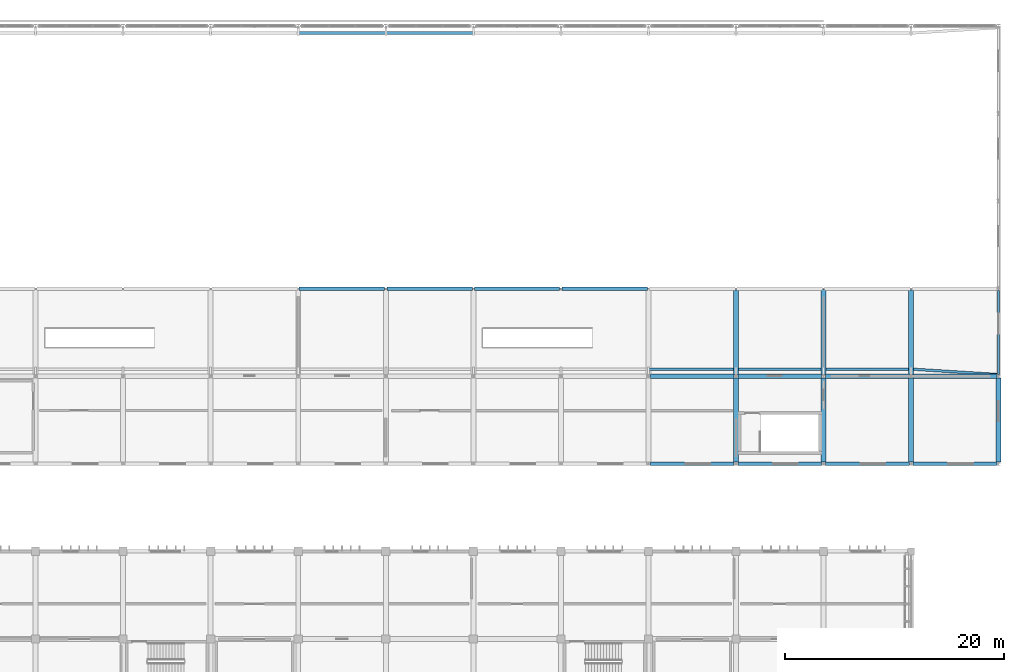
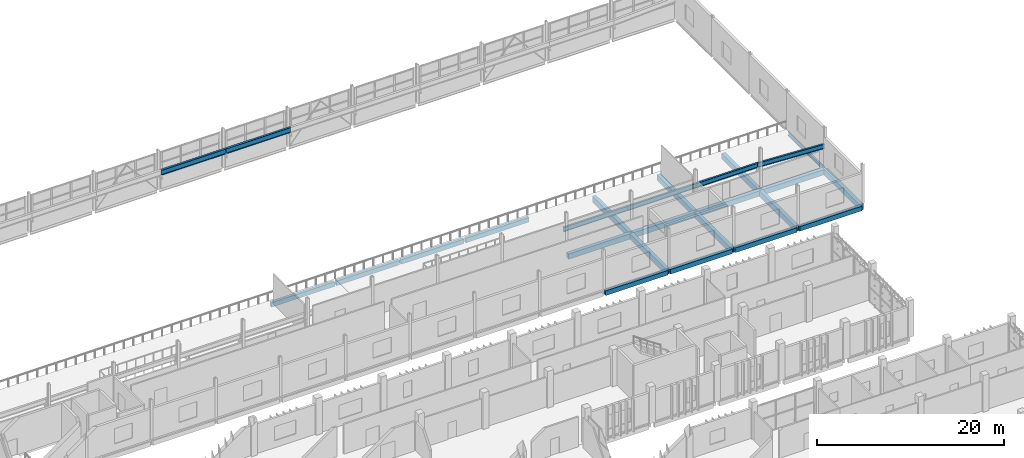
# One storey, part 65 of 106: 26 beams.
"""IFC4 building model written with IfcOpenShell, lengths in metres."""

import ifcopenshell
import ifcopenshell.guid

model = None  # the IFC model being written
_history = None  # IfcOwnerHistory: only IFC2X3 demands one
_inside = {}  # id of a spatial element -> (the spatial element, [elements in it])
_under = {}  # id of a project, library or spatial element -> (it, [spatial elements below it])
_declared = {}  # id of a project -> (the project, [libraries it declares])
_typed = {}  # id of a type object -> (the type object, [elements of that type])
_made_of = {}  # id of a material, layer set ... -> (it, [elements and type objects made of it])


def new_model(schema):
    """Start an empty IFC model of exactly this schema.

    Asked for "IFC4X3", IfcOpenShell would pick the latest addendum, in which some entities
    have other attributes; the version numbers below select the first issue.
    IFC2X3 requires an IfcOwnerHistory on every rooted entity: one is made here for all.
    """
    global model, _history
    if schema == "IFC4X3":
        model = ifcopenshell.file(schema_version=(4, 3, 0, 0))
    else:
        model = ifcopenshell.file(schema=schema)
    _inside.clear()
    _under.clear()
    _declared.clear()
    _typed.clear()
    _made_of.clear()
    _history = None
    if model.schema == "IFC2X3":
        org = make("IfcOrganization", Name="unknown")
        user = make(
            "IfcPersonAndOrganization",
            ThePerson=make("IfcPerson", FamilyName="unknown"),
            TheOrganization=org,
        )
        app = make(
            "IfcApplication",
            ApplicationDeveloper=org,
            Version="unknown",
            ApplicationFullName="unknown",
            ApplicationIdentifier="unknown",
        )
        _history = make(
            "IfcOwnerHistory",
            OwningUser=user,
            OwningApplication=app,
            ChangeAction="ADDED",
            CreationDate=0,
        )
    return model


def make(cls, **values):
    """One entity of the class cls with the attributes given. An attribute that is None is left unset."""
    return model.create_entity(
        cls, **{name: value for name, value in values.items() if value is not None}
    )


def rooted(cls, **values):
    """An entity with a GlobalId (a new one), such as an element, a storey or a relation."""
    return make(cls, GlobalId=ifcopenshell.guid.new(), OwnerHistory=_history, **values)


def si_unit(unit_type, name, prefix=None):
    """IfcSIUnit, for example si_unit("LENGTHUNIT", "METRE", prefix="MILLI")."""
    return make("IfcSIUnit", UnitType=unit_type, Prefix=prefix, Name=name)


def assignment(units):
    """IfcUnitAssignment: the units of a project."""
    return None if units is None else make("IfcUnitAssignment", Units=units)


def point(xyz):
    """IfcCartesianPoint."""
    return None if xyz is None else make("IfcCartesianPoint", Coordinates=xyz)


def direction(xyz):
    """IfcDirection."""
    return None if xyz is None else make("IfcDirection", DirectionRatios=xyz)


def frame(location, z_axis=None, x_axis=None):
    """IfcAxis2Placement3D, a coordinate frame: its origin and axes. An axis left out is left unset."""
    return make(
        "IfcAxis2Placement3D",
        Location=point(location),
        Axis=direction(z_axis),
        RefDirection=direction(x_axis),
    )


def frame_2d(location, x_axis=None):
    """IfcAxis2Placement2D, a coordinate frame in the plane: its origin and x axis."""
    return make(
        "IfcAxis2Placement2D", Location=point(location), RefDirection=direction(x_axis)
    )


def origin():
    """The frame at (0, 0, 0) with its axes left unset."""
    return frame((0.0, 0.0, 0.0))


def origin_2d():
    """The frame at (0, 0) in the plane with its x axis left unset."""
    return frame_2d((0.0, 0.0))


def place(relative_to, where):
    """IfcLocalPlacement: puts the frame where relative to a parent placement (None: the world)."""
    return make(
        "IfcLocalPlacement", PlacementRelTo=relative_to, RelativePlacement=where
    )


def context(
    kind, dimensions, precision=None, world=None, true_north=None, identifier=None
):
    """IfcGeometricRepresentationContext, for example the 3D "Model" context."""
    return make(
        "IfcGeometricRepresentationContext",
        ContextIdentifier=identifier,
        ContextType=kind,
        CoordinateSpaceDimension=dimensions,
        Precision=precision,
        WorldCoordinateSystem=world,
        TrueNorth=true_north,
    )


def subcontext(parent, identifier, kind, view, scale=None):
    """IfcGeometricRepresentationSubContext, for example "Body" below "Model"."""
    return make(
        "IfcGeometricRepresentationSubContext",
        ContextIdentifier=identifier,
        ContextType=kind,
        ParentContext=parent,
        TargetScale=scale,
        TargetView=view,
    )


def project(units=None, contexts=None):
    """IfcProject with its units and contexts."""
    return rooted(
        "IfcProject",
        Name="project",
        RepresentationContexts=contexts,
        UnitsInContext=assignment(units),
    )


def spatial(cls, under=None, at=None, **own):
    """A site, building, storey or space (cls), placed at a placement, below another one or the project."""
    s = rooted(cls, ObjectPlacement=at, **own)
    if under is not None:
        _under.setdefault(under.id(), (under, []))[1].append(s)
    return s


def profile(cls, at=None, kind="AREA", **sizes):
    """A parametric profile (cls). Its sizes go by their IFC names, for example OverallWidth=200.0."""
    return make(cls, ProfileType=kind, Position=at, **sizes)


def rectangle(**sizes):
    """IfcRectangleProfileDef."""
    return profile("IfcRectangleProfileDef", **sizes)


def i_section(**sizes):
    """IfcIShapeProfileDef."""
    return profile("IfcIShapeProfileDef", **sizes)


def extrude(swept, where, along, depth):
    """IfcExtrudedAreaSolid: the profile swept, set in the frame where, extruded along a direction by depth."""
    return make(
        "IfcExtrudedAreaSolid",
        SweptArea=swept,
        Position=where,
        ExtrudedDirection=direction(along),
        Depth=depth,
    )


def shape(context_of_items, identifier, shape_type, items):
    """IfcShapeRepresentation: the items that make up one representation, for example the "Body"."""
    return make(
        "IfcShapeRepresentation",
        ContextOfItems=context_of_items,
        RepresentationIdentifier=identifier,
        RepresentationType=shape_type,
        Items=items,
    )


def material(Name=None, Category=None):
    """IfcMaterial."""
    return make("IfcMaterial", Name=Name, Category=Category)


def material_profile(
    of_material, cross_section, Name=None, Category=None, Priority=None
):
    """IfcMaterialProfile: a cross section and its material."""
    return make(
        "IfcMaterialProfile",
        Name=Name,
        Material=of_material,
        Profile=cross_section,
        Priority=Priority,
        Category=Category,
    )


def profile_set(profiles, Name=None, composite=None):
    """IfcMaterialProfileSet."""
    return make(
        "IfcMaterialProfileSet",
        Name=Name,
        MaterialProfiles=profiles,
        CompositeProfile=composite,
    )


def made_of(thing, what):
    """Note that an element or type object is made of a material, layer set ...; save() writes the relation."""
    if what is not None:
        _made_of.setdefault(what.id(), (what, []))[1].append(thing)
    return thing


def type_object(cls, material=None, **own):
    """A type object (cls), such as IfcWallType, which elements share."""
    return made_of(rooted(cls, **own), material)


def element(
    cls,
    number,
    at=None,
    inside=None,
    cuts=None,
    type_object=None,
    material=None,
    context=None,
    identifier="Body",
    shape_type=None,
    held_by="IfcProductDefinitionShape",
    body=None,
    shapes=None,
    **own,
):
    """One element of the class cls, such as IfcWall. Its Tag is "e" and its number.

    at: its placement. inside: the storey or other place that contains it. cuts: it is an
    opening in that element (IfcRelVoidsElement). A single representation is given by context,
    identifier, shape_type and body (its items); several are given by shapes. held_by: the class
    of the entity that holds the representations. save() writes the other relations.
    """
    e = rooted(cls, Tag="e%d" % number, ObjectPlacement=at, **own)
    if body is not None:
        shapes = [shape(context, identifier, shape_type, body)]
    if shapes is not None:
        e.Representation = make(held_by, Representations=shapes)
    if inside is not None:
        _inside.setdefault(inside.id(), (inside, []))[1].append(e)
    if cuts is not None:
        rooted(
            "IfcRelVoidsElement", RelatingBuildingElement=cuts, RelatedOpeningElement=e
        )
    if type_object is not None:
        _typed.setdefault(type_object.id(), (type_object, []))[1].append(e)
    return made_of(e, material)


def aggregate(whole, parts):
    """IfcRelAggregates: a whole, such as a stair, and the parts it consists of."""
    return rooted("IfcRelAggregates", RelatingObject=whole, RelatedObjects=parts)


def save(model, path):
    """Write the relations noted so far, then the file.

    IfcRelAggregates (storeys below a building ...), IfcRelContainedInSpatialStructure (elements
    in a storey), IfcRelDefinesByType, IfcRelAssociatesMaterial and IfcRelDeclares: one each for
    every whole, place, type object, material and project.
    """
    for whole, parts in _under.values():
        aggregate(whole, parts)
    for where, things in _inside.values():
        rooted(
            "IfcRelContainedInSpatialStructure",
            RelatedElements=things,
            RelatingStructure=where,
        )
    for kind, things in _typed.values():
        rooted("IfcRelDefinesByType", RelatedObjects=things, RelatingType=kind)
    for what, things in _made_of.values():
        rooted("IfcRelAssociatesMaterial", RelatedObjects=things, RelatingMaterial=what)
    for by, libraries in _declared.values():
        rooted("IfcRelDeclares", RelatingContext=by, RelatedDefinitions=libraries)
    model.write(path)


model = new_model("IFC4")

# Units and contexts
model_context = context("Model", 3, precision=1e-05, world=origin(), true_north=direction((0.0, 1.0)))
body_context = subcontext(model_context, "Body", "Model", "MODEL_VIEW")
ifc_project = project(units=[si_unit("LENGTHUNIT", "METRE"), si_unit("AREAUNIT", "SQUARE_METRE"), si_unit("VOLUMEUNIT", "CUBIC_METRE"), si_unit("PLANEANGLEUNIT", "RADIAN"), si_unit("MASSUNIT", "GRAM", prefix="KILO")], contexts=[model_context])

# Site, building, storey
site_placement = place(None, origin())
site = spatial("IfcSite", under=ifc_project, at=site_placement, CompositionType="ELEMENT")
building_placement = place(site_placement, origin())
building = spatial("IfcBuilding", under=site, at=building_placement, Name="Jelvoka-Kovrelna Polytechnic", CompositionType="ELEMENT")
storey_placement = place(building_placement, frame((0.0, 0.0, 4.800048828125)))
storey = spatial("IfcBuildingStorey", under=building, at=storey_placement, Name="L02", CompositionType="ELEMENT", Elevation=4.800048828125)

# Beams
ifc_material_1 = material(Name="Concrete C40/50", Category="concrete")
ifc_material_profile_1 = material_profile(ifc_material_1, rectangle(XDim=0.449951171875, YDim=0.699951171875, at=origin_2d()), Name="RC 450x700")
ifc_profile_set_1 = profile_set([ifc_material_profile_1], Name="Concrete C40/50")
beam_type_1 = type_object("IfcBeamType", Name="Beam_RC_450x700", PredefinedType="BEAM", material=ifc_profile_set_1)
for number, where, z_axis, x_axis, name in (
    (1, (168.164306640625, 88.0, -0.630126953125), (1.0, 0.0, 0.0), (0.0, 1.0, 0.0), "L02 beam 0591"),
    (2, (176.164306640625, 88.0, -0.630126953125), (1.0, 0.0, 0.0), (0.0, 1.0, 0.0), "L02 beam 0592"),
    (3, (184.164306640625, 88.0, -0.630126953125), (1.0, 0.0, 0.0), (0.0, 1.0, 0.0), "L02 beam 0593"),
    (4, (192.164306640625, 88.0, -0.630126953125), (1.0, 0.0, 0.0), (0.0, 1.0, 0.0), "L02 beam 0594"),
):
    element("IfcBeam", number, at=place(storey_placement, frame(where, z_axis=z_axis, x_axis=x_axis)), inside=storey, type_object=beam_type_1, Name=name, PredefinedType="BEAM", context=body_context, shape_type="SweptSolid", body=[
        extrude(rectangle(XDim=0.449951171875, YDim=0.699951171875, at=origin_2d()), origin(), (0.0, 0.0, 1.0), 7.67138671875),
    ])
ifc_material_2 = material(Name="Concrete C40/50", Category="concrete")
ifc_material_profile_2 = material_profile(ifc_material_2, rectangle(XDim=0.449951171875, YDim=0.75, at=origin_2d()), Name="RC 450x750")
ifc_profile_set_2 = profile_set([ifc_material_profile_2], Name="Concrete C40/50")
beam_type_2 = type_object("IfcBeamType", Name="Beam_RC_450x750", PredefinedType="BEAM", material=ifc_profile_set_2)
beam_1_placement = place(storey_placement, frame((176.0, 80.15771484375, -0.655029296875), z_axis=(0.0, 1.0, 0.0), x_axis=(-1.0, 0.0, 0.0)))
element("IfcBeam", 5, at=beam_1_placement, inside=storey, type_object=beam_type_2, Name="L02 beam 0607", PredefinedType="BEAM", context=body_context, shape_type="SweptSolid", body=[
    extrude(rectangle(XDim=0.449951171875, YDim=0.75, at=origin_2d()), origin(), (0.0, 0.0, 1.0), 7.6845703125),
])
beam_2_placement = place(storey_placement, frame((176.0, 88.15771484375, -0.655029296875), z_axis=(0.0, 1.0, 0.0), x_axis=(-1.0, 0.0, 0.0)))
element("IfcBeam", 6, at=beam_2_placement, inside=storey, type_object=beam_type_2, Name="L02 beam 0608", PredefinedType="BEAM", context=body_context, shape_type="SweptSolid", body=[
    extrude(rectangle(XDim=0.449951171875, YDim=0.75, at=origin_2d()), origin(), (0.0, 0.0, 1.0), 7.735107421875),
])
beam_3_placement = place(storey_placement, frame((184.0, 80.15771484375, -0.655029296875), z_axis=(0.0, 1.0, 0.0), x_axis=(-1.0, 0.0, 0.0)))
element("IfcBeam", 7, at=beam_3_placement, inside=storey, type_object=beam_type_2, Name="L02 beam 0609", PredefinedType="BEAM", context=body_context, shape_type="SweptSolid", body=[
    extrude(rectangle(XDim=0.449951171875, YDim=0.75, at=origin_2d()), origin(), (0.0, 0.0, 1.0), 7.6845703125),
])
beam_4_placement = place(storey_placement, frame((184.0, 88.15771484375, -0.655029296875), z_axis=(0.0, 1.0, 0.0), x_axis=(-1.0, 0.0, 0.0)))
element("IfcBeam", 8, at=beam_4_placement, inside=storey, type_object=beam_type_2, Name="L02 beam 0610", PredefinedType="BEAM", context=body_context, shape_type="SweptSolid", body=[
    extrude(rectangle(XDim=0.449951171875, YDim=0.75, at=origin_2d()), origin(), (0.0, 0.0, 1.0), 7.757568359375),
])
beam_5_placement = place(storey_placement, frame((192.0, 80.15771484375, -0.655029296875), z_axis=(0.0, 1.0, 0.0), x_axis=(-1.0, 0.0, 0.0)))
element("IfcBeam", 9, at=beam_5_placement, inside=storey, type_object=beam_type_2, Name="L02 beam 0611", PredefinedType="BEAM", context=body_context, shape_type="SweptSolid", body=[
    extrude(rectangle(XDim=0.449951171875, YDim=0.75, at=origin_2d()), origin(), (0.0, 0.0, 1.0), 7.6845703125),
])
beam_6_placement = place(storey_placement, frame((192.0, 88.15771484375, -0.655029296875), z_axis=(0.0, 1.0, 0.0), x_axis=(-1.0, 0.0, 0.0)))
element("IfcBeam", 10, at=beam_6_placement, inside=storey, type_object=beam_type_2, Name="L02 beam 0612", PredefinedType="BEAM", context=body_context, shape_type="SweptSolid", body=[
    extrude(rectangle(XDim=0.449951171875, YDim=0.75, at=origin_2d()), origin(), (0.0, 0.0, 1.0), 7.735107421875),
])
beam_7_placement = place(storey_placement, frame((200.0, 80.15771484375, -0.655029296875), z_axis=(0.0, 1.0, 0.0), x_axis=(-1.0, 0.0, 0.0)))
element("IfcBeam", 11, at=beam_7_placement, inside=storey, type_object=beam_type_2, Name="L02 beam 0613", PredefinedType="BEAM", context=body_context, shape_type="SweptSolid", body=[
    extrude(rectangle(XDim=0.449951171875, YDim=0.75, at=origin_2d()), origin(), (0.0, 0.0, 1.0), 7.6845703125),
])
ifc_material_3 = material(Name="Structural steel S355JR", Category="steel")
ifc_material_profile_3 = material_profile(ifc_material_3, i_section(OverallWidth=0.2275390625, OverallDepth=0.6025390625, WebThickness=0.010498046875, FlangeThickness=0.014892578125, FilletRadius=0.0126953125, at=origin_2d()), Name="610x229x101 UB")
ifc_profile_set_3 = profile_set([ifc_material_profile_3], Name="Structural steel S355JR")
beam_type_3 = type_object("IfcBeamType", Name="CraneGirder_UB610", PredefinedType="USERDEFINED", material=ifc_profile_set_3)
for number, where, z_axis, x_axis, name in (
    (12, (168.0, 88.64990234375, 2.501220703125), (1.0, 0.0, 0.0), (0.0, 1.0, 0.0), "L02 workshop crane runway girder 021"),
    (13, (176.0, 88.64990234375, 2.501220703125), (1.0, 0.0, 0.0), (0.0, 1.0, 0.0), "L02 workshop crane runway girder 023"),
    (14, (184.0, 88.64990234375, 2.501220703125), (1.0, 0.0, 0.0), (0.0, 1.0, 0.0), "L02 workshop crane runway girder 025"),
):
    element("IfcBeam", number, at=place(storey_placement, frame(where, z_axis=z_axis, x_axis=x_axis)), inside=storey, type_object=beam_type_3, Name=name, ObjectType="CRANE RUNWAY", PredefinedType="USERDEFINED", context=body_context, shape_type="SweptSolid", body=[
        extrude(i_section(OverallWidth=0.2275390625, OverallDepth=0.6025390625, WebThickness=0.010498046875, FlangeThickness=0.014892578125, FilletRadius=0.0126953125, at=origin_2d()), origin(), (0.0, 0.0, 1.0), 8.0),
    ])
beam_8_placement = place(storey_placement, frame((192.0, 88.64990234375, 2.501220703125), z_axis=(0.998052578483, -0.062378286155, 0.0), x_axis=(0.062378286155, 0.998052578483, 0.0)))
element("IfcBeam", 15, at=beam_8_placement, inside=storey, type_object=beam_type_3, Name="L02 workshop crane runway girder 027", ObjectType="CRANE RUNWAY", PredefinedType="USERDEFINED", context=body_context, shape_type="SweptSolid", body=[
    extrude(i_section(OverallWidth=0.2275390625, OverallDepth=0.6025390625, WebThickness=0.010498046875, FlangeThickness=0.014892578125, FilletRadius=0.0126953125, at=origin_2d()), origin(), (0.0, 0.0, 1.0), 8.015625),
])
ifc_material_4 = material(Name="Structural steel S355JR", Category="steel")
ifc_material_profile_4 = material_profile(ifc_material_4, i_section(OverallWidth=0.2529296875, OverallDepth=0.677978515625, WebThickness=0.01171875, FlangeThickness=0.01611328125, FilletRadius=0.01513671875, at=origin_2d()), Name="686x254x125 UB")
ifc_profile_set_4 = profile_set([ifc_material_profile_4], Name="Structural steel S355JR")
beam_type_4 = type_object("IfcBeamType", Name="CraneGirder_UB686", PredefinedType="USERDEFINED", material=ifc_profile_set_4)
for number, where, z_axis, x_axis, name in (
    (16, (136.0, 119.35009765625, 2.538818359375), (1.0, 0.0, 0.0), (0.0, 1.0, 0.0), "L02 workshop crane runway girder 014"),
    (17, (144.0, 119.35009765625, 2.538818359375), (1.0, 0.0, 0.0), (0.0, 1.0, 0.0), "L02 workshop crane runway girder 016"),
):
    element("IfcBeam", number, at=place(storey_placement, frame(where, z_axis=z_axis, x_axis=x_axis)), inside=storey, type_object=beam_type_4, Name=name, ObjectType="CRANE RUNWAY", PredefinedType="USERDEFINED", context=body_context, shape_type="SweptSolid", body=[
        extrude(i_section(OverallWidth=0.2529296875, OverallDepth=0.677978515625, WebThickness=0.01171875, FlangeThickness=0.01611328125, FilletRadius=0.01513671875, at=origin_2d()), origin(), (0.0, 0.0, 1.0), 8.0),
    ])
ifc_material_5 = material(Name="Structural steel S355JR", Category="steel")
ifc_material_profile_5 = material_profile(ifc_material_5, i_section(OverallWidth=0.18994140625, OverallDepth=0.453369140625, WebThickness=0.008544921875, FlangeThickness=0.0126953125, FilletRadius=0.01025390625, at=origin_2d()), Name="457x191x67 UB")
ifc_profile_set_5 = profile_set([ifc_material_profile_5], Name="Structural steel S355JR")
beam_type_5 = type_object("IfcBeamType", Name="Girder_Steel_UB457", PredefinedType="BEAM", material=ifc_profile_set_5)
beam_9_placement = place(storey_placement, frame((200.0, 88.15771484375, -0.51171875), z_axis=(0.0, 1.0, 0.0), x_axis=(-1.0, 0.0, 0.0)))
element("IfcBeam", 18, at=beam_9_placement, inside=storey, type_object=beam_type_5, Name="L02 beam 0076", PredefinedType="BEAM", context=body_context, shape_type="SweptSolid", body=[
    extrude(i_section(OverallWidth=0.18994140625, OverallDepth=0.453369140625, WebThickness=0.008544921875, FlangeThickness=0.0126953125, FilletRadius=0.01025390625, at=origin_2d()), origin(), (0.0, 0.0, 1.0), 7.6845703125),
])
ifc_material_6 = material(Name="Concrete C40/50", Category="concrete")
ifc_material_profile_6 = material_profile(ifc_material_6, rectangle(XDim=0.35009765625, YDim=0.60009765625, at=origin_2d()), Name="RC 350x600")
ifc_profile_set_6 = profile_set([ifc_material_profile_6], Name="Concrete C40/50")
beam_type_6 = type_object("IfcBeamType", Name="Spandrel_RC_350x600", PredefinedType="SPANDREL", material=ifc_profile_set_6)
beam_10_placement = place(storey_placement, frame((136.0830078125, 96.0, -0.580078125), z_axis=(1.0, 0.0, 0.0), x_axis=(0.0, 1.0, 0.0)))
element("IfcBeam", 19, at=beam_10_placement, inside=storey, type_object=beam_type_6, Name="L02 beam 0566", PredefinedType="SPANDREL", context=body_context, shape_type="SweptSolid", body=[
    extrude(rectangle(XDim=0.35009765625, YDim=0.60009765625, at=origin_2d()), origin(), (0.0, 0.0, 1.0), 7.8095703125),
])
for number, where, z_axis, x_axis, name in (
    (20, (168.164306640625, 80.0, -0.580078125), (1.0, 0.0, 0.0), (0.0, 1.0, 0.0), "L02 beam 0584"),
    (21, (176.164306640625, 80.0, -0.580078125), (1.0, 0.0, 0.0), (0.0, 1.0, 0.0), "L02 beam 0585"),
    (22, (184.164306640625, 80.0, -0.580078125), (1.0, 0.0, 0.0), (0.0, 1.0, 0.0), "L02 beam 0586"),
    (23, (192.164306640625, 80.0, -0.580078125), (1.0, 0.0, 0.0), (0.0, 1.0, 0.0), "L02 beam 0587"),
):
    element("IfcBeam", number, at=place(storey_placement, frame(where, z_axis=z_axis, x_axis=x_axis)), inside=storey, type_object=beam_type_6, Name=name, PredefinedType="SPANDREL", context=body_context, shape_type="SweptSolid", body=[
        extrude(rectangle(XDim=0.35009765625, YDim=0.60009765625, at=origin_2d()), origin(), (0.0, 0.0, 1.0), 7.67138671875),
    ])
for number, where, z_axis, x_axis, name in (
    (24, (144.107421875, 96.0, -0.580078125), (1.0, 0.0, 0.0), (0.0, 1.0, 0.0), "L02 beam 0595"),
    (25, (152.0830078125, 96.0, -0.580078125), (1.0, 0.0, 0.0), (0.0, 1.0, 0.0), "L02 beam 0596"),
    (26, (160.107421875, 96.0, -0.580078125), (1.0, 0.0, 0.0), (0.0, 1.0, 0.0), "L02 beam 0597"),
):
    element("IfcBeam", number, at=place(storey_placement, frame(where, z_axis=z_axis, x_axis=x_axis)), inside=storey, type_object=beam_type_6, Name=name, PredefinedType="SPANDREL", context=body_context, shape_type="SweptSolid", body=[
        extrude(rectangle(XDim=0.35009765625, YDim=0.60009765625, at=origin_2d()), origin(), (0.0, 0.0, 1.0), 7.8095703125),
    ])

save(model, "model.ifc")
